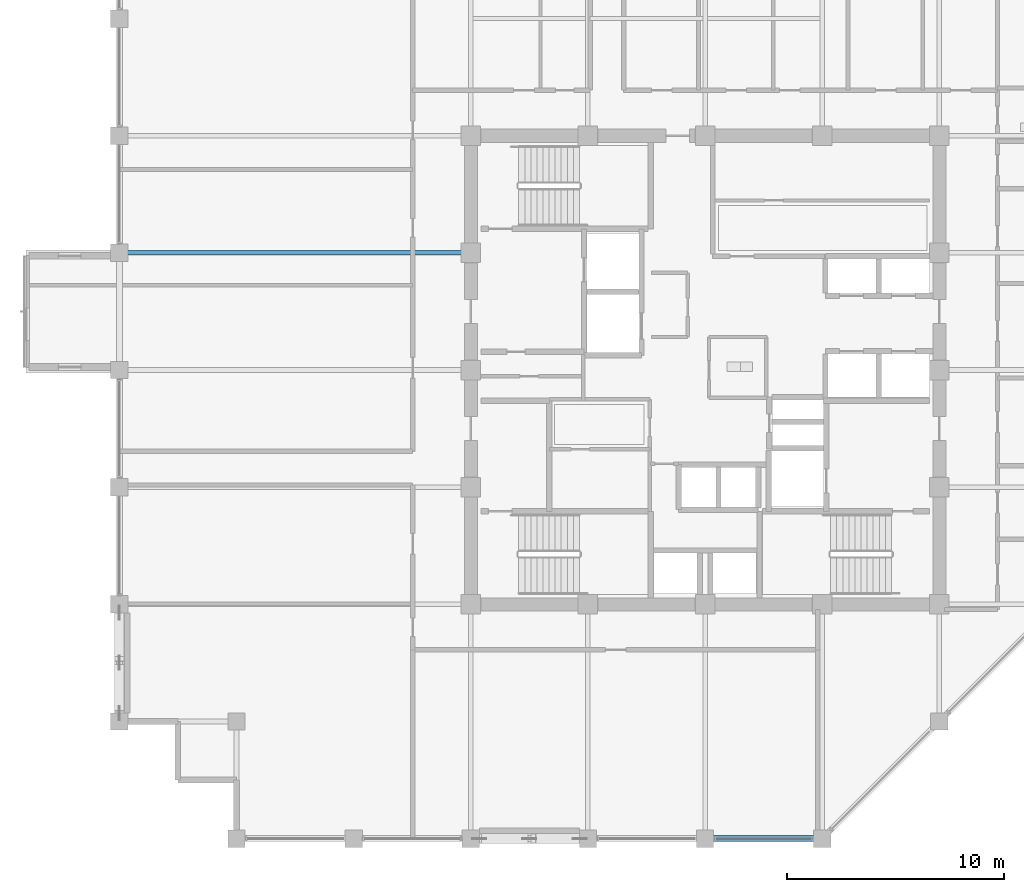
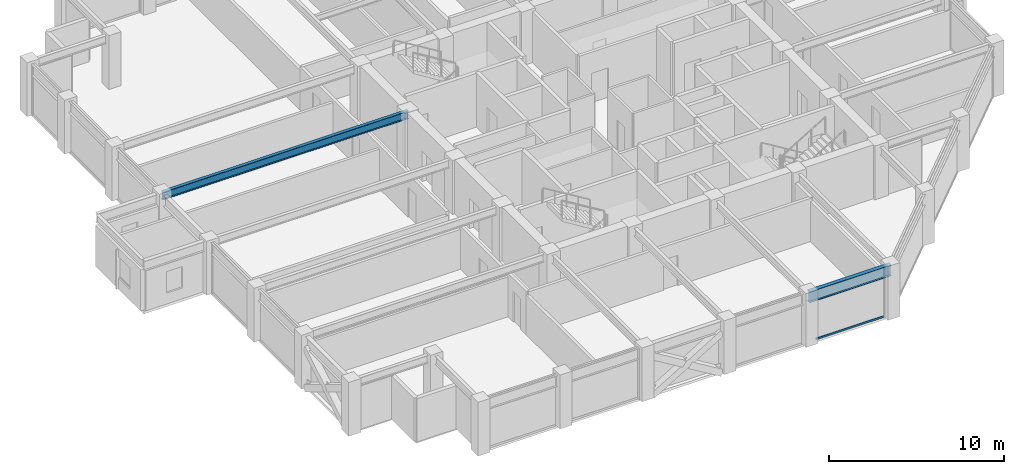
# One storey, part 8 of 28: 2 beams, 1 member, 1 element without a shape of its own.
"""IFC4 building model written with IfcOpenShell, lengths in metres."""

from ifc_helpers import new_model, si_unit, direction, frame, origin, origin_2d, place, context, subcontext, project, spatial, hollow_rectangle, i_section, extrude, material, layer, layer_set, material_profile, profile_set, type_object, element, aggregate, save


model = new_model("IFC4")

# Units and contexts
model_context = context("Model", 3, precision=1e-05, world=origin(), true_north=direction((0.0, 1.0)))
body_context = subcontext(model_context, "Body", "Model", "MODEL_VIEW")
ifc_project = project(units=[si_unit("LENGTHUNIT", "METRE"), si_unit("AREAUNIT", "SQUARE_METRE"), si_unit("VOLUMEUNIT", "CUBIC_METRE"), si_unit("PLANEANGLEUNIT", "RADIAN"), si_unit("MASSUNIT", "GRAM", prefix="KILO")], contexts=[model_context])

# Site, building, storey
site_placement = place(None, origin())
site = spatial("IfcSite", under=ifc_project, at=site_placement, CompositionType="ELEMENT")
building_placement = place(site_placement, origin())
building = spatial("IfcBuilding", under=site, at=building_placement, Name="Surkhivell Harbour Commons", CompositionType="ELEMENT")
storey_placement = place(building_placement, frame((0.0, 0.0, 242.25)))
storey = spatial("IfcBuildingStorey", under=building, at=storey_placement, Name="L63", CompositionType="ELEMENT", Elevation=242.25)

# Beams
ifc_material_1 = material(Name="Steel S355", Category="steel")
ifc_material_profile_1 = material_profile(ifc_material_1, i_section(OverallWidth=0.2119140625, OverallDepth=0.5439453125, WebThickness=0.0126953125, FlangeThickness=0.021240234375, at=origin_2d()), Name="UB533x210x122")
ifc_profile_set_1 = profile_set([ifc_material_profile_1], Name="Steel S355")
beam_type_1 = type_object("IfcBeamType", Name="BM-GRD-533A", PredefinedType="BEAM", material=ifc_profile_set_1)
beam_1_placement = place(storey_placement, frame((-27.0, 5.39990234375, 3.298095703125), z_axis=(1.0, 0.0, 0.0), x_axis=(0.0, 1.0, 0.0)))
element("IfcBeam", 1, at=beam_1_placement, inside=storey, type_object=beam_type_1, Name="L63 Cantilever Back-Span Girder (-27.0,5.4)", PredefinedType="BEAM", context=body_context, shape_type="SweptSolid", body=[
    extrude(i_section(OverallWidth=0.2119140625, OverallDepth=0.5439453125, WebThickness=0.0126953125, FlangeThickness=0.021240234375, at=origin_2d()), origin(), (0.0, 0.0, 1.0), 16.199951171875),
])
ifc_material_profile_2 = material_profile(ifc_material_1, i_section(OverallWidth=0.26806640625, OverallDepth=0.77001953125, WebThickness=0.015625, FlangeThickness=0.025390625, at=origin_2d()), Name="UB762x267x197")
ifc_profile_set_2 = profile_set([ifc_material_profile_2], Name="Steel S355")
beam_type_2 = type_object("IfcBeamType", Name="BM-SPN-762", PredefinedType="SPANDREL", material=ifc_profile_set_2)
beam_2_placement = place(storey_placement, frame((0.0, -21.60009765625, 3.18505859375), z_axis=(1.0, 0.0, 0.0), x_axis=(0.0, 1.0, 0.0)))
element("IfcBeam", 2, at=beam_2_placement, inside=storey, type_object=beam_type_2, Name="L63 Tube Spandrel (-0.0,-21.6)", PredefinedType="SPANDREL", context=body_context, shape_type="SweptSolid", body=[
    extrude(i_section(OverallWidth=0.26806640625, OverallDepth=0.77001953125, WebThickness=0.015625, FlangeThickness=0.025390625, at=origin_2d()), origin(), (0.0, 0.0, 1.0), 5.39990234375),
])

# Curtain wall, member
ifc_material_2 = material(Name="Anodised pale-metal aluminium and insulated glazing", Category="aluminium")
ifc_layer = layer(ifc_material_2, 0.18994140625)
ifc_layer_set = layer_set([ifc_layer], Name="Anodised pale-metal aluminium and insulated glazing")
curtain_wall_type = type_object("IfcCurtainWallType", Name="CW-SYS-Z3", PredefinedType="NOTDEFINED", material=ifc_layer_set)
curtain_wall_placement = place(storey_placement, origin())
curtain_wall = element("IfcCurtainWall", 3, at=curtain_wall_placement, inside=storey, type_object=curtain_wall_type, Name="L63 Curtain Wall CW-L63-E00S2", PredefinedType="NOTDEFINED")
ifc_material_3 = material(Name="Champagne anodised aluminium alloy 6063-T6", Category="aluminium")
ifc_material_profile_3 = material_profile(ifc_material_3, hollow_rectangle(XDim=0.070068359375, YDim=0.1298828125, WallThickness=0.00341796875, at=origin_2d()), Name="ALU-TRAN-70x130")
ifc_profile_set_3 = profile_set([ifc_material_profile_3], Name="Champagne anodised aluminium alloy 6063-T6")
member_type = type_object("IfcMemberType", Name="CWT-130", PredefinedType="USERDEFINED", material=ifc_profile_set_3)
member_placement = place(storey_placement, frame((0.47705078125, -21.60009765625, 0.06494140625), z_axis=(1.0, 0.0, 0.0), x_axis=(0.0, 1.0, 0.0)))
member = element("IfcMember", 4, at=member_placement, type_object=member_type, Name="CW-Z3 transom 2.1", ObjectType="TRANSOM", PredefinedType="USERDEFINED", context=body_context, shape_type="SweptSolid", body=[
    extrude(hollow_rectangle(XDim=0.070068359375, YDim=0.1298828125, WallThickness=0.00341796875, at=origin_2d()), origin(), (0.0, 0.0, 1.0), 4.446044921875),
])
aggregate(curtain_wall, [member])

save(model, "model.ifc")
